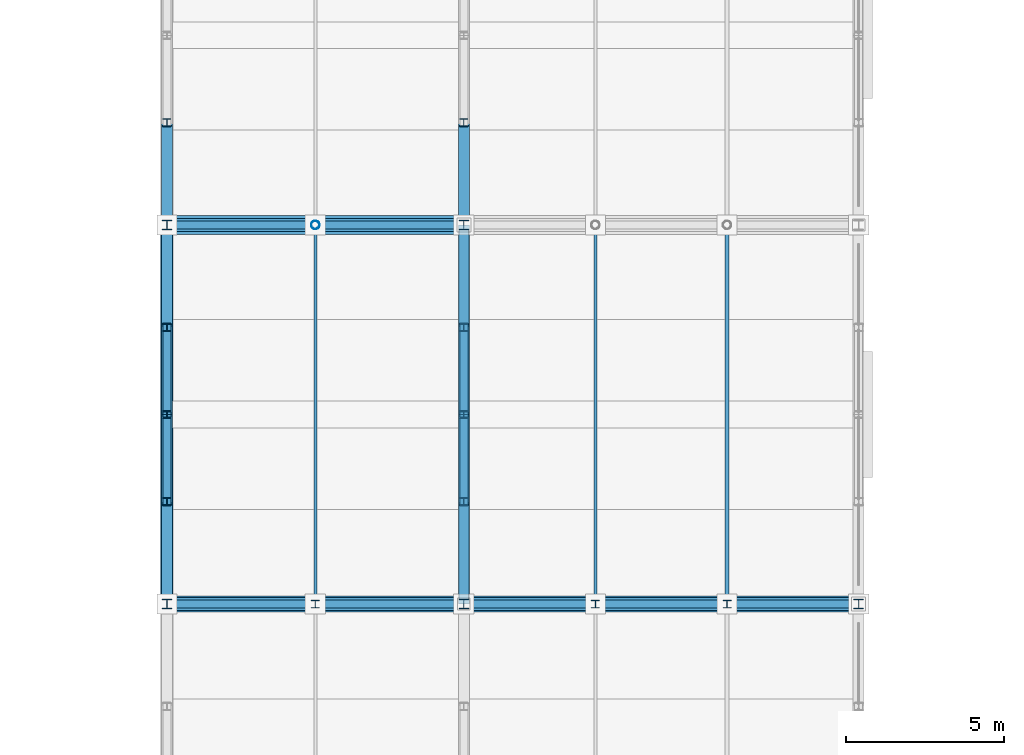
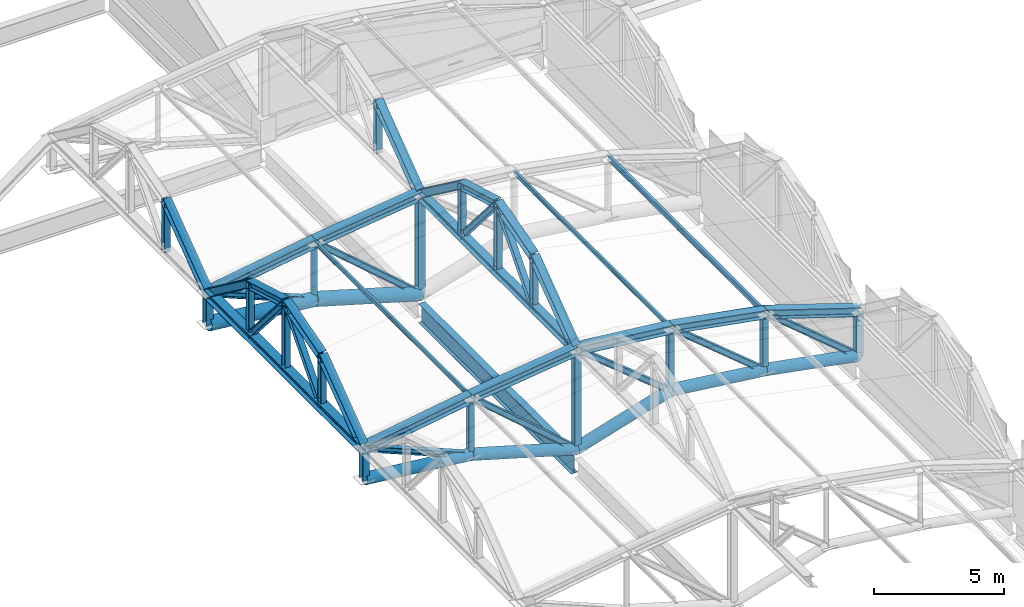
# One storey, part 72 of 117: 57 members, 1 beam.
"""IFC4 building model written with IfcOpenShell, lengths in metres."""

from ifc_helpers import new_model, si_unit, direction, frame, origin, origin_2d, place, context, subcontext, project, spatial, hollow_circle, i_section, extrude, material, material_profile, profile_set, type_object, element, save


model = new_model("IFC4")

# Units and contexts
model_context = context("Model", 3, precision=1e-05, world=origin(), true_north=direction((0.0, 1.0)))
body_context = subcontext(model_context, "Body", "Model", "MODEL_VIEW")
ifc_project = project(units=[si_unit("LENGTHUNIT", "METRE"), si_unit("AREAUNIT", "SQUARE_METRE"), si_unit("VOLUMEUNIT", "CUBIC_METRE"), si_unit("PLANEANGLEUNIT", "RADIAN"), si_unit("MASSUNIT", "GRAM", prefix="KILO")], contexts=[model_context])

# Site, building, storey
site_placement = place(None, origin())
site = spatial("IfcSite", under=ifc_project, at=site_placement, CompositionType="ELEMENT")
building_placement = place(site_placement, origin())
building = spatial("IfcBuilding", under=site, at=building_placement, Name="Kazenohara Klinker Stadium", CompositionType="ELEMENT")
storey_placement = place(building_placement, frame((0.0, 0.0, 31.199951171875)))
storey = spatial("IfcBuildingStorey", under=building, at=storey_placement, Name="RF", CompositionType="ELEMENT", Elevation=31.199951171875)

# Members
ifc_material = material(Name="Steel S355", Category="steel")
ifc_material_profile_1 = material_profile(ifc_material, i_section(OverallWidth=0.25, OverallDepth=0.25, WebThickness=0.009033203125, FlangeThickness=0.013916015625, FilletRadius=0.012939453125, at=origin_2d()), Name="H-250x250x9x14")
ifc_profile_set_1 = profile_set([ifc_material_profile_1], Name="Steel S355")
member_type_1 = type_object("IfcMemberType", Name="MEM-BRC02", PredefinedType="BRACE", material=ifc_profile_set_1)
member_1_placement = place(storey_placement, frame((187.5, 108.0, -0.02001953125), z_axis=(-0.76843159807, 0.0, 0.639931933168), x_axis=(0.0, -1.0, 0.0)))
element("IfcMember", 1, at=member_1_placement, inside=storey, type_object=member_type_1, Name="ROOF TRUSS RT-E06 web diagonal 1", PredefinedType="BRACE", context=body_context, shape_type="SweptSolid", body=[
    extrude(i_section(OverallWidth=0.25, OverallDepth=0.25, WebThickness=0.009033203125, FlangeThickness=0.013916015625, FilletRadius=0.012939453125, at=origin_2d()), origin(), (0.0, 0.0, 1.0), 5.42236328125),
])
member_2_placement = place(storey_placement, frame((183.333251953125, 108.0, 0.75), z_axis=(-0.770229945983, 0.0, 0.637766281887), x_axis=(0.0, -1.0, 0.0)))
element("IfcMember", 2, at=member_2_placement, inside=storey, type_object=member_type_1, Name="ROOF TRUSS RT-E06 web diagonal 2", PredefinedType="BRACE", context=body_context, shape_type="SweptSolid", body=[
    extrude(i_section(OverallWidth=0.25, OverallDepth=0.25, WebThickness=0.009033203125, FlangeThickness=0.013916015625, FilletRadius=0.012939453125, at=origin_2d()), origin(), (0.0, 0.0, 1.0), 5.409423828125),
])
member_3_placement = place(storey_placement, frame((179.166748046875, 108.0, 1.25), z_axis=(-0.774777826172, 0.0, 0.632233596127), x_axis=(0.0, -1.0, 0.0)))
element("IfcMember", 3, at=member_3_placement, inside=storey, type_object=member_type_1, Name="ROOF TRUSS RT-E06 web diagonal 3", PredefinedType="BRACE", context=body_context, shape_type="SweptSolid", body=[
    extrude(i_section(OverallWidth=0.25, OverallDepth=0.25, WebThickness=0.009033203125, FlangeThickness=0.013916015625, FilletRadius=0.012939453125, at=origin_2d()), origin(), (0.0, 0.0, 1.0), 5.3779296875),
])
member_4_placement = place(storey_placement, frame((175.0, 108.0, -0.02001953125), z_axis=(-0.755945561544, 0.0, 0.65463448426), x_axis=(0.0, -1.0, 0.0)))
element("IfcMember", 4, at=member_4_placement, inside=storey, type_object=member_type_1, Name="ROOF TRUSS RT-E06 web diagonal 4", PredefinedType="BRACE", context=body_context, shape_type="SweptSolid", body=[
    extrude(i_section(OverallWidth=0.25, OverallDepth=0.25, WebThickness=0.009033203125, FlangeThickness=0.013916015625, FilletRadius=0.012939453125, at=origin_2d()), origin(), (0.0, 0.0, 1.0), 6.21728515625),
])
member_5_placement = place(storey_placement, frame((170.300048828125, 108.0, 1.35009765625), z_axis=(-0.923659284192, 0.0, 0.383214726655), x_axis=(0.0, -1.0, 0.0)))
element("IfcMember", 5, at=member_5_placement, inside=storey, type_object=member_type_1, Name="ROOF TRUSS RT-E06 web diagonal 5", PredefinedType="BRACE", context=body_context, shape_type="SweptSolid", body=[
    extrude(i_section(OverallWidth=0.25, OverallDepth=0.25, WebThickness=0.009033203125, FlangeThickness=0.013916015625, FilletRadius=0.012939453125, at=origin_2d()), origin(), (0.0, 0.0, 1.0), 5.08837890625),
])
member_6_placement = place(storey_placement, frame((175.0, 120.0, -0.02001953125), z_axis=(-0.755945561544, 0.0, 0.65463448426), x_axis=(0.0, -1.0, 0.0)))
element("IfcMember", 6, at=member_6_placement, inside=storey, type_object=member_type_1, Name="ROOF TRUSS RT-E07 web diagonal 4", PredefinedType="BRACE", context=body_context, shape_type="SweptSolid", body=[
    extrude(i_section(OverallWidth=0.25, OverallDepth=0.25, WebThickness=0.009033203125, FlangeThickness=0.013916015625, FilletRadius=0.012939453125, at=origin_2d()), origin(), (0.0, 0.0, 1.0), 6.21728515625),
])
member_7_placement = place(storey_placement, frame((170.300048828125, 120.0, 1.35009765625), z_axis=(-0.923659284192, 0.0, 0.383214726655), x_axis=(0.0, -1.0, 0.0)))
element("IfcMember", 7, at=member_7_placement, inside=storey, type_object=member_type_1, Name="ROOF TRUSS RT-E07 web diagonal 5", PredefinedType="BRACE", context=body_context, shape_type="SweptSolid", body=[
    extrude(i_section(OverallWidth=0.25, OverallDepth=0.25, WebThickness=0.009033203125, FlangeThickness=0.013916015625, FilletRadius=0.012939453125, at=origin_2d()), origin(), (0.0, 0.0, 1.0), 5.08837890625),
])
ifc_material_profile_2 = material_profile(ifc_material, i_section(OverallWidth=0.39990234375, OverallDepth=0.39990234375, WebThickness=0.012939453125, FlangeThickness=0.02099609375, FilletRadius=0.02197265625, at=origin_2d()), Name="H-400x400x13x21")
ifc_profile_set_2 = profile_set([ifc_material_profile_2], Name="Steel S355")
member_type_2 = type_object("IfcMemberType", Name="MEM-CHD01", PredefinedType="CHORD", material=ifc_profile_set_2)
member_8_placement = place(storey_placement, frame((187.5, 108.0, 2.10009765625), z_axis=(-0.951324890397, 0.0, 0.308189800141), x_axis=(0.0, -1.0, 0.0)))
element("IfcMember", 8, at=member_8_placement, inside=storey, type_object=member_type_2, Name="ROOF TRUSS RT-E06 top arched chord 1", PredefinedType="CHORD", context=body_context, shape_type="SweptSolid", body=[
    extrude(i_section(OverallWidth=0.39990234375, OverallDepth=0.39990234375, WebThickness=0.012939453125, FlangeThickness=0.02099609375, FilletRadius=0.02197265625, at=origin_2d()), origin(), (0.0, 0.0, 1.0), 4.3798828125),
])
member_9_placement = place(storey_placement, frame((183.333251953125, 108.0, 3.449951171875), z_axis=(-0.984182117389, 0.0, 0.177159701431), x_axis=(0.0, -1.0, 0.0)))
element("IfcMember", 9, at=member_9_placement, inside=storey, type_object=member_type_2, Name="ROOF TRUSS RT-E06 top arched chord 2", PredefinedType="CHORD", context=body_context, shape_type="SweptSolid", body=[
    extrude(i_section(OverallWidth=0.39990234375, OverallDepth=0.39990234375, WebThickness=0.012939453125, FlangeThickness=0.02099609375, FilletRadius=0.02197265625, at=origin_2d()), origin(), (0.0, 0.0, 1.0), 4.2333984375),
])
member_10_placement = place(storey_placement, frame((179.166748046875, 108.0, 4.199951171875), z_axis=(-0.994213775272, 0.0, 0.107419593461), x_axis=(0.0, -1.0, 0.0)))
element("IfcMember", 10, at=member_10_placement, inside=storey, type_object=member_type_2, Name="ROOF TRUSS RT-E06 top arched chord 3", PredefinedType="CHORD", context=body_context, shape_type="SweptSolid", body=[
    extrude(i_section(OverallWidth=0.39990234375, OverallDepth=0.39990234375, WebThickness=0.012939453125, FlangeThickness=0.02099609375, FilletRadius=0.02197265625, at=origin_2d()), origin(), (0.0, 0.0, 1.0), 4.19091796875),
])
member_11_placement = place(storey_placement, frame((175.0, 108.0, 4.650146484375), z_axis=(-0.99194702514, 0.0, -0.126653461524), x_axis=(0.0, -1.0, 0.0)))
element("IfcMember", 11, at=member_11_placement, inside=storey, type_object=member_type_2, Name="ROOF TRUSS RT-E06 top arched chord 4", PredefinedType="CHORD", context=body_context, shape_type="SweptSolid", body=[
    extrude(i_section(OverallWidth=0.39990234375, OverallDepth=0.39990234375, WebThickness=0.012939453125, FlangeThickness=0.02099609375, FilletRadius=0.02197265625, at=origin_2d()), origin(), (0.0, 0.0, 1.0), 4.738037109375),
])
member_12_placement = place(storey_placement, frame((170.300048828125, 108.0, 4.050048828125), z_axis=(-0.987505848374, 0.0, -0.157582357602), x_axis=(0.0, -1.0, 0.0)))
element("IfcMember", 12, at=member_12_placement, inside=storey, type_object=member_type_2, Name="ROOF TRUSS RT-E06 top arched chord 5", PredefinedType="CHORD", context=body_context, shape_type="SweptSolid", body=[
    extrude(i_section(OverallWidth=0.39990234375, OverallDepth=0.39990234375, WebThickness=0.012939453125, FlangeThickness=0.02099609375, FilletRadius=0.02197265625, at=origin_2d()), origin(), (0.0, 0.0, 1.0), 4.759521484375),
])
member_13_placement = place(storey_placement, frame((175.0, 120.0, 4.650146484375), z_axis=(-0.99194702514, 0.0, -0.126653461524), x_axis=(0.0, -1.0, 0.0)))
element("IfcMember", 13, at=member_13_placement, inside=storey, type_object=member_type_2, Name="ROOF TRUSS RT-E07 top arched chord 4", PredefinedType="CHORD", context=body_context, shape_type="SweptSolid", body=[
    extrude(i_section(OverallWidth=0.39990234375, OverallDepth=0.39990234375, WebThickness=0.012939453125, FlangeThickness=0.02099609375, FilletRadius=0.02197265625, at=origin_2d()), origin(), (0.0, 0.0, 1.0), 4.738037109375),
])
member_14_placement = place(storey_placement, frame((170.300048828125, 120.0, 4.050048828125), z_axis=(-0.987505848374, 0.0, -0.157582357602), x_axis=(0.0, -1.0, 0.0)))
element("IfcMember", 14, at=member_14_placement, inside=storey, type_object=member_type_2, Name="ROOF TRUSS RT-E07 top arched chord 5", PredefinedType="CHORD", context=body_context, shape_type="SweptSolid", body=[
    extrude(i_section(OverallWidth=0.39990234375, OverallDepth=0.39990234375, WebThickness=0.012939453125, FlangeThickness=0.02099609375, FilletRadius=0.02197265625, at=origin_2d()), origin(), (0.0, 0.0, 1.0), 4.759521484375),
])
member_15_placement = place(storey_placement, frame((165.60009765625, 120.0, 3.300048828125), z_axis=(0.0, -1.0, 0.0), x_axis=(1.0, 0.0, 0.0)))
element("IfcMember", 15, at=member_15_placement, inside=storey, type_object=member_type_2, Name="Inner tension ring chord TC01 segment 18", PredefinedType="CHORD", context=body_context, shape_type="SweptSolid", body=[
    extrude(i_section(OverallWidth=0.39990234375, OverallDepth=0.39990234375, WebThickness=0.012939453125, FlangeThickness=0.02099609375, FilletRadius=0.02197265625, at=origin_2d()), origin(), (0.0, 0.0, 1.0), 12.0),
])
ifc_material_profile_3 = material_profile(ifc_material, i_section(OverallWidth=0.35009765625, OverallDepth=0.35009765625, WebThickness=0.011962890625, FlangeThickness=0.01904296875, FilletRadius=0.012939453125, at=origin_2d()), Name="H-350x350x12x19")
ifc_profile_set_3 = profile_set([ifc_material_profile_3], Name="Steel S355")
member_type_3 = type_object("IfcMemberType", Name="MEM-CHD02", PredefinedType="CHORD", material=ifc_profile_set_3)
member_16_placement = place(storey_placement, frame((175.0, 108.0, 4.650146484375), z_axis=(0.0, 1.0, 0.0), x_axis=(-1.0, 0.0, 0.0)))
element("IfcMember", 16, at=member_16_placement, inside=storey, type_object=member_type_3, Name="Barrel arch tie chord TC02 E-06-N3", PredefinedType="CHORD", context=body_context, shape_type="SweptSolid", body=[
    extrude(i_section(OverallWidth=0.35009765625, OverallDepth=0.35009765625, WebThickness=0.011962890625, FlangeThickness=0.01904296875, FilletRadius=0.012939453125, at=origin_2d()), origin(), (0.0, 0.0, 1.0), 12.0),
])
member_17_placement = place(storey_placement, frame((175.0, 108.0, 4.650146484375), z_axis=(0.0, 0.803567919639, 0.595213069856), x_axis=(-1.0, 0.0, 0.0)))
element("IfcMember", 17, at=member_17_placement, inside=storey, type_object=member_type_3, Name="Barrel arch top rib TC02 E-06-N3-S1", PredefinedType="CHORD", context=body_context, shape_type="SweptSolid", body=[
    extrude(i_section(OverallWidth=0.35009765625, OverallDepth=0.35009765625, WebThickness=0.011962890625, FlangeThickness=0.01904296875, FilletRadius=0.012939453125, at=origin_2d()), origin(), (0.0, 0.0, 1.0), 4.031982421875),
])
for number, where, z_axis, x_axis, name in (
    (18, (175.0, 111.239990234375, 7.050048828125), (0.0, 0.960462085918, 0.27841081429), (-1.0, 0.0, 0.0), "Barrel arch top rib TC02 E-06-N3-S2"),
    (19, (175.0, 114.0, 7.85009765625), (0.0, 0.960462085918, -0.27841081429), (-1.0, 0.0, 0.0), "Barrel arch top rib TC02 E-06-N3-S3"),
):
    element("IfcMember", number, at=place(storey_placement, frame(where, z_axis=z_axis, x_axis=x_axis)), inside=storey, type_object=member_type_3, Name=name, PredefinedType="CHORD", context=body_context, shape_type="SweptSolid", body=[
        extrude(i_section(OverallWidth=0.35009765625, OverallDepth=0.35009765625, WebThickness=0.011962890625, FlangeThickness=0.01904296875, FilletRadius=0.012939453125, at=origin_2d()), origin(), (0.0, 0.0, 1.0), 2.87353515625),
    ])
for number, where, z_axis, x_axis, name in (
    (20, (175.0, 116.760009765625, 7.050048828125), (0.0, 0.803567919639, -0.595213069856), (-1.0, 0.0, 0.0), "Barrel arch top rib TC02 E-06-N3-S4"),
    (21, (165.60009765625, 108.0, 3.300048828125), (0.0, 0.803567919639, 0.595213069856), (-1.0, 0.0, 0.0), "Barrel arch top rib TC02 E-06-N5-S1"),
):
    element("IfcMember", number, at=place(storey_placement, frame(where, z_axis=z_axis, x_axis=x_axis)), inside=storey, type_object=member_type_3, Name=name, PredefinedType="CHORD", context=body_context, shape_type="SweptSolid", body=[
        extrude(i_section(OverallWidth=0.35009765625, OverallDepth=0.35009765625, WebThickness=0.011962890625, FlangeThickness=0.01904296875, FilletRadius=0.012939453125, at=origin_2d()), origin(), (0.0, 0.0, 1.0), 4.031982421875),
    ])
for number, where, z_axis, x_axis, name in (
    (22, (165.60009765625, 111.239990234375, 5.699951171875), (0.0, 0.960462085918, 0.27841081429), (-1.0, 0.0, 0.0), "Barrel arch top rib TC02 E-06-N5-S2"),
    (23, (165.60009765625, 114.0, 6.5), (0.0, 0.960462085918, -0.27841081429), (-1.0, 0.0, 0.0), "Barrel arch top rib TC02 E-06-N5-S3"),
):
    element("IfcMember", number, at=place(storey_placement, frame(where, z_axis=z_axis, x_axis=x_axis)), inside=storey, type_object=member_type_3, Name=name, PredefinedType="CHORD", context=body_context, shape_type="SweptSolid", body=[
        extrude(i_section(OverallWidth=0.35009765625, OverallDepth=0.35009765625, WebThickness=0.011962890625, FlangeThickness=0.01904296875, FilletRadius=0.012939453125, at=origin_2d()), origin(), (0.0, 0.0, 1.0), 2.87353515625),
    ])
for number, where, z_axis, x_axis, name in (
    (24, (165.60009765625, 116.760009765625, 5.699951171875), (0.0, 0.803567919639, -0.595213069856), (-1.0, 0.0, 0.0), "Barrel arch top rib TC02 E-06-N5-S4"),
    (25, (175.0, 120.0, 4.650146484375), (0.0, 0.803567919639, 0.595213069856), (-1.0, 0.0, 0.0), "Barrel arch top rib TC02 E-07-N3-S1"),
    (26, (165.60009765625, 120.0, 3.300048828125), (0.0, 0.803567919639, 0.595213069856), (-1.0, 0.0, 0.0), "Barrel arch top rib TC02 E-07-N5-S1"),
):
    element("IfcMember", number, at=place(storey_placement, frame(where, z_axis=z_axis, x_axis=x_axis)), inside=storey, type_object=member_type_3, Name=name, PredefinedType="CHORD", context=body_context, shape_type="SweptSolid", body=[
        extrude(i_section(OverallWidth=0.35009765625, OverallDepth=0.35009765625, WebThickness=0.011962890625, FlangeThickness=0.01904296875, FilletRadius=0.012939453125, at=origin_2d()), origin(), (0.0, 0.0, 1.0), 4.031982421875),
    ])
ifc_material_profile_4 = material_profile(ifc_material, hollow_circle(Radius=0.25390625, WallThickness=0.01611328125, at=origin_2d()), Name="CHS-508.0x16")
ifc_profile_set_4 = profile_set([ifc_material_profile_4], Name="Steel S355")
member_type_4 = type_object("IfcMemberType", Name="MEM-CHD04", PredefinedType="CHORD", material=ifc_profile_set_4)
member_18_placement = place(storey_placement, frame((187.5, 108.0, -0.02001953125), z_axis=(-0.983349564566, 0.0, 0.181724059685), x_axis=(0.0, -1.0, 0.0)))
element("IfcMember", 27, at=member_18_placement, inside=storey, type_object=member_type_4, Name="ROOF TRUSS RT-E06 bottom arched chord 1", PredefinedType="CHORD", context=body_context, shape_type="SweptSolid", body=[
    extrude(hollow_circle(Radius=0.25390625, WallThickness=0.01611328125, at=origin_2d()), origin(), (0.0, 0.0, 1.0), 4.2373046875),
])
member_19_placement = place(storey_placement, frame((183.333251953125, 108.0, 0.75), z_axis=(-0.99287628789, 0.0, 0.119149808836), x_axis=(0.0, -1.0, 0.0)))
element("IfcMember", 28, at=member_19_placement, inside=storey, type_object=member_type_4, Name="ROOF TRUSS RT-E06 bottom arched chord 2", PredefinedType="CHORD", context=body_context, shape_type="SweptSolid", body=[
    extrude(hollow_circle(Radius=0.25390625, WallThickness=0.01611328125, at=origin_2d()), origin(), (0.0, 0.0, 1.0), 4.1962890625),
])
member_20_placement = place(storey_placement, frame((179.166748046875, 108.0, 1.25), z_axis=(-0.956553656775, 0.0, -0.291556343971), x_axis=(0.0, -1.0, 0.0)))
element("IfcMember", 29, at=member_20_placement, inside=storey, type_object=member_type_4, Name="ROOF TRUSS RT-E06 bottom arched chord 3", PredefinedType="CHORD", context=body_context, shape_type="SweptSolid", body=[
    extrude(hollow_circle(Radius=0.25390625, WallThickness=0.01611328125, at=origin_2d()), origin(), (0.0, 0.0, 1.0), 4.35595703125),
])
member_21_placement = place(storey_placement, frame((175.0, 108.0, -0.02001953125), z_axis=(-0.960038530088, 0.0, 0.279867863012), x_axis=(0.0, -1.0, 0.0)))
element("IfcMember", 30, at=member_21_placement, inside=storey, type_object=member_type_4, Name="ROOF TRUSS RT-E06 bottom arched chord 4", PredefinedType="CHORD", context=body_context, shape_type="SweptSolid", body=[
    extrude(hollow_circle(Radius=0.25390625, WallThickness=0.01611328125, at=origin_2d()), origin(), (0.0, 0.0, 1.0), 4.8955078125),
])
member_22_placement = place(storey_placement, frame((170.300048828125, 108.0, 1.35009765625), z_axis=(-0.99438879757, 0.0, 0.105787141313), x_axis=(0.0, -1.0, 0.0)))
element("IfcMember", 31, at=member_22_placement, inside=storey, type_object=member_type_4, Name="ROOF TRUSS RT-E06 bottom arched chord 5", PredefinedType="CHORD", context=body_context, shape_type="SweptSolid", body=[
    extrude(hollow_circle(Radius=0.25390625, WallThickness=0.01611328125, at=origin_2d()), origin(), (0.0, 0.0, 1.0), 4.7265625),
])
ifc_material_profile_5 = material_profile(ifc_material, hollow_circle(Radius=0.3046875, WallThickness=0.01611328125, at=origin_2d()), Name="CHS-609.6x16")
ifc_profile_set_5 = profile_set([ifc_material_profile_5], Name="Steel S355")
member_type_5 = type_object("IfcMemberType", Name="MEM-CHD05", PredefinedType="CHORD", material=ifc_profile_set_5)
member_23_placement = place(storey_placement, frame((175.0, 120.0, -0.02001953125), z_axis=(-0.960038530088, 0.0, 0.279867863012), x_axis=(0.0, -1.0, 0.0)))
element("IfcMember", 32, at=member_23_placement, inside=storey, type_object=member_type_5, Name="ROOF TRUSS RT-E07 bottom arched chord 4", PredefinedType="CHORD", context=body_context, shape_type="SweptSolid", body=[
    extrude(hollow_circle(Radius=0.3046875, WallThickness=0.01611328125, at=origin_2d()), origin(), (0.0, 0.0, 1.0), 4.8955078125),
])
member_24_placement = place(storey_placement, frame((170.300048828125, 120.0, 1.35009765625), z_axis=(-0.99438879757, 0.0, 0.105787141313), x_axis=(0.0, -1.0, 0.0)))
element("IfcMember", 33, at=member_24_placement, inside=storey, type_object=member_type_5, Name="ROOF TRUSS RT-E07 bottom arched chord 5", PredefinedType="CHORD", context=body_context, shape_type="SweptSolid", body=[
    extrude(hollow_circle(Radius=0.3046875, WallThickness=0.01611328125, at=origin_2d()), origin(), (0.0, 0.0, 1.0), 4.7265625),
])
ifc_material_profile_6 = material_profile(ifc_material, i_section(OverallWidth=0.125, OverallDepth=0.25, WebThickness=0.006103515625, FlangeThickness=0.009033203125, FilletRadius=0.008056640625, at=origin_2d()), Name="H-250x125x6x9")
ifc_profile_set_6 = profile_set([ifc_material_profile_6], Name="Steel S355")
member_type_6 = type_object("IfcMemberType", Name="MEM-PUR01", PredefinedType="PURLIN", material=ifc_profile_set_6)
member_25_placement = place(storey_placement, frame((183.333251953125, 108.0, 3.469970703125), z_axis=(0.0, 1.0, 0.0), x_axis=(-1.0, 0.0, 0.0)))
element("IfcMember", 34, at=member_25_placement, inside=storey, type_object=member_type_6, Name="Canopy valley tie purlin PR01 E-06-N1", PredefinedType="PURLIN", context=body_context, shape_type="SweptSolid", body=[
    extrude(i_section(OverallWidth=0.125, OverallDepth=0.25, WebThickness=0.006103515625, FlangeThickness=0.009033203125, FilletRadius=0.008056640625, at=origin_2d()), origin(), (0.0, 0.0, 1.0), 12.0),
])
ifc_material_profile_7 = material_profile(ifc_material, i_section(OverallWidth=0.10009765625, OverallDepth=0.199951171875, WebThickness=0.005615234375, FlangeThickness=0.008056640625, FilletRadius=0.008056640625, at=origin_2d()), Name="H-200x100x5.5x8")
ifc_profile_set_7 = profile_set([ifc_material_profile_7], Name="Steel S355")
member_type_7 = type_object("IfcMemberType", Name="MEM-PUR02", PredefinedType="PURLIN", material=ifc_profile_set_7)
for number, where, z_axis, x_axis, name in (
    (35, (179.166748046875, 108.0, 4.219970703125), (0.0, 1.0, 0.0), (-1.0, 0.0, 0.0), "Canopy valley tie purlin PR02 E-06-N2"),
    (36, (170.300048828125, 108.0, 4.070068359375), (0.0, 1.0, 0.0), (-1.0, 0.0, 0.0), "Canopy valley tie purlin PR02 E-06-N4"),
):
    element("IfcMember", number, at=place(storey_placement, frame(where, z_axis=z_axis, x_axis=x_axis)), inside=storey, type_object=member_type_7, Name=name, PredefinedType="PURLIN", context=body_context, shape_type="SweptSolid", body=[
        extrude(i_section(OverallWidth=0.10009765625, OverallDepth=0.199951171875, WebThickness=0.005615234375, FlangeThickness=0.008056640625, FilletRadius=0.008056640625, at=origin_2d()), origin(), (0.0, 0.0, 1.0), 12.0),
    ])
ifc_material_profile_8 = material_profile(ifc_material, i_section(OverallWidth=0.300048828125, OverallDepth=0.300048828125, WebThickness=0.010009765625, FlangeThickness=0.014892578125, FilletRadius=0.012939453125, at=origin_2d()), Name="H-300x300x10x15")
ifc_profile_set_8 = profile_set([ifc_material_profile_8], Name="Steel S355")
member_type_8 = type_object("IfcMemberType", Name="MEM-STR01", PredefinedType="STRUT", material=ifc_profile_set_8)
member_26_placement = place(storey_placement, frame((187.5, 108.0, -0.02001953125), z_axis=(0.0, 0.0, 1.0), x_axis=(1.0, 0.0, 0.0)))
element("IfcMember", 37, at=member_26_placement, inside=storey, type_object=member_type_8, Name="ROOF TRUSS RT-E06 web post 1", PredefinedType="STRUT", context=body_context, shape_type="SweptSolid", body=[
    extrude(i_section(OverallWidth=0.300048828125, OverallDepth=0.300048828125, WebThickness=0.010009765625, FlangeThickness=0.014892578125, FilletRadius=0.012939453125, at=origin_2d()), origin(), (0.0, 0.0, 1.0), 2.1201171875),
])
member_27_placement = place(storey_placement, frame((175.0, 108.0, -0.02001953125), z_axis=(0.0, 0.0, 1.0), x_axis=(1.0, 0.0, 0.0)))
element("IfcMember", 38, at=member_27_placement, inside=storey, type_object=member_type_8, Name="ROOF TRUSS RT-E06 web post 4", PredefinedType="STRUT", context=body_context, shape_type="SweptSolid", body=[
    extrude(i_section(OverallWidth=0.300048828125, OverallDepth=0.300048828125, WebThickness=0.010009765625, FlangeThickness=0.014892578125, FilletRadius=0.012939453125, at=origin_2d()), origin(), (0.0, 0.0, 1.0), 4.670166015625),
])
member_28_placement = place(storey_placement, frame((165.60009765625, 108.0, 1.85009765625), z_axis=(0.0, 0.0, 1.0), x_axis=(1.0, 0.0, 0.0)))
element("IfcMember", 39, at=member_28_placement, inside=storey, type_object=member_type_8, Name="ROOF TRUSS RT-E06 web post 6", PredefinedType="STRUT", context=body_context, shape_type="SweptSolid", body=[
    extrude(i_section(OverallWidth=0.300048828125, OverallDepth=0.300048828125, WebThickness=0.010009765625, FlangeThickness=0.014892578125, FilletRadius=0.012939453125, at=origin_2d()), origin(), (0.0, 0.0, 1.0), 1.449951171875),
])
member_29_placement = place(storey_placement, frame((175.0, 120.0, -0.02001953125), z_axis=(0.0, 0.0, 1.0), x_axis=(1.0, 0.0, 0.0)))
element("IfcMember", 40, at=member_29_placement, inside=storey, type_object=member_type_8, Name="ROOF TRUSS RT-E07 web post 4", PredefinedType="STRUT", context=body_context, shape_type="SweptSolid", body=[
    extrude(i_section(OverallWidth=0.300048828125, OverallDepth=0.300048828125, WebThickness=0.010009765625, FlangeThickness=0.014892578125, FilletRadius=0.012939453125, at=origin_2d()), origin(), (0.0, 0.0, 1.0), 4.670166015625),
])
member_30_placement = place(storey_placement, frame((165.60009765625, 120.0, 1.85009765625), z_axis=(0.0, 0.0, 1.0), x_axis=(1.0, 0.0, 0.0)))
element("IfcMember", 41, at=member_30_placement, inside=storey, type_object=member_type_8, Name="ROOF TRUSS RT-E07 web post 6", PredefinedType="STRUT", context=body_context, shape_type="SweptSolid", body=[
    extrude(i_section(OverallWidth=0.300048828125, OverallDepth=0.300048828125, WebThickness=0.010009765625, FlangeThickness=0.014892578125, FilletRadius=0.012939453125, at=origin_2d()), origin(), (0.0, 0.0, 1.0), 1.449951171875),
])
ifc_material_profile_9 = material_profile(ifc_material, i_section(OverallWidth=0.25, OverallDepth=0.25, WebThickness=0.009033203125, FlangeThickness=0.013916015625, FilletRadius=0.012939453125, at=origin_2d()), Name="H-250x250x9x14")
ifc_profile_set_9 = profile_set([ifc_material_profile_9], Name="Steel S355")
member_type_9 = type_object("IfcMemberType", Name="MEM-STR02", PredefinedType="STRUT", material=ifc_profile_set_9)
member_31_placement = place(storey_placement, frame((183.333251953125, 108.0, 0.75), z_axis=(0.0, 0.0, 1.0), x_axis=(1.0, 0.0, 0.0)))
element("IfcMember", 42, at=member_31_placement, inside=storey, type_object=member_type_9, Name="ROOF TRUSS RT-E06 web post 2", PredefinedType="STRUT", context=body_context, shape_type="SweptSolid", body=[
    extrude(i_section(OverallWidth=0.25, OverallDepth=0.25, WebThickness=0.009033203125, FlangeThickness=0.013916015625, FilletRadius=0.012939453125, at=origin_2d()), origin(), (0.0, 0.0, 1.0), 2.699951171875),
])
member_32_placement = place(storey_placement, frame((179.166748046875, 108.0, 1.25), z_axis=(0.0, 0.0, 1.0), x_axis=(1.0, 0.0, 0.0)))
element("IfcMember", 43, at=member_32_placement, inside=storey, type_object=member_type_9, Name="ROOF TRUSS RT-E06 web post 3", PredefinedType="STRUT", context=body_context, shape_type="SweptSolid", body=[
    extrude(i_section(OverallWidth=0.25, OverallDepth=0.25, WebThickness=0.009033203125, FlangeThickness=0.013916015625, FilletRadius=0.012939453125, at=origin_2d()), origin(), (0.0, 0.0, 1.0), 2.949951171875),
])
member_33_placement = place(storey_placement, frame((170.300048828125, 108.0, 1.35009765625), z_axis=(0.0, 0.0, 1.0), x_axis=(1.0, 0.0, 0.0)))
element("IfcMember", 44, at=member_33_placement, inside=storey, type_object=member_type_9, Name="ROOF TRUSS RT-E06 web post 5", PredefinedType="STRUT", context=body_context, shape_type="SweptSolid", body=[
    extrude(i_section(OverallWidth=0.25, OverallDepth=0.25, WebThickness=0.009033203125, FlangeThickness=0.013916015625, FilletRadius=0.012939453125, at=origin_2d()), origin(), (0.0, 0.0, 1.0), 2.699951171875),
])
member_34_placement = place(storey_placement, frame((175.0, 111.239990234375, 4.650146484375), z_axis=(0.0, 0.0, 1.0), x_axis=(1.0, 0.0, 0.0)))
element("IfcMember", 45, at=member_34_placement, inside=storey, type_object=member_type_9, Name="Barrel arch web post TS02 E-06-N3-P1", PredefinedType="STRUT", context=body_context, shape_type="SweptSolid", body=[
    extrude(i_section(OverallWidth=0.25, OverallDepth=0.25, WebThickness=0.009033203125, FlangeThickness=0.013916015625, FilletRadius=0.012939453125, at=origin_2d()), origin(), (0.0, 0.0, 1.0), 2.39990234375),
])
member_35_placement = place(storey_placement, frame((175.0, 114.0, 4.650146484375), z_axis=(0.0, 0.0, 1.0), x_axis=(1.0, 0.0, 0.0)))
element("IfcMember", 46, at=member_35_placement, inside=storey, type_object=member_type_9, Name="Barrel arch web post TS02 E-06-N3-P2", PredefinedType="STRUT", context=body_context, shape_type="SweptSolid", body=[
    extrude(i_section(OverallWidth=0.25, OverallDepth=0.25, WebThickness=0.009033203125, FlangeThickness=0.013916015625, FilletRadius=0.012939453125, at=origin_2d()), origin(), (0.0, 0.0, 1.0), 3.199951171875),
])
member_36_placement = place(storey_placement, frame((175.0, 116.760009765625, 4.650146484375), z_axis=(0.0, 0.0, 1.0), x_axis=(1.0, 0.0, 0.0)))
element("IfcMember", 47, at=member_36_placement, inside=storey, type_object=member_type_9, Name="Barrel arch web post TS02 E-06-N3-P3", PredefinedType="STRUT", context=body_context, shape_type="SweptSolid", body=[
    extrude(i_section(OverallWidth=0.25, OverallDepth=0.25, WebThickness=0.009033203125, FlangeThickness=0.013916015625, FilletRadius=0.012939453125, at=origin_2d()), origin(), (0.0, 0.0, 1.0), 2.39990234375),
])
for number, where, z_axis, x_axis, name in (
    (48, (175.0, 111.239990234375, 4.650146484375), (0.0, 0.653133887971, 0.757242447558), (-1.0, 0.0, 0.0), "Barrel arch web diagonal TS02 E-06-N3-D1"),
    (49, (175.0, 116.760009765625, 4.650146484375), (0.0, -0.653133887971, 0.757242447558), (1.0, 0.0, 0.0), "Barrel arch web diagonal TS02 E-06-N3-D2"),
):
    element("IfcMember", number, at=place(storey_placement, frame(where, z_axis=z_axis, x_axis=x_axis)), inside=storey, type_object=member_type_9, Name=name, PredefinedType="STRUT", context=body_context, shape_type="SweptSolid", body=[
        extrude(i_section(OverallWidth=0.25, OverallDepth=0.25, WebThickness=0.009033203125, FlangeThickness=0.013916015625, FilletRadius=0.012939453125, at=origin_2d()), origin(), (0.0, 0.0, 1.0), 4.225830078125),
    ])
member_37_placement = place(storey_placement, frame((165.60009765625, 111.239990234375, 3.300048828125), z_axis=(0.0, 0.0, 1.0), x_axis=(1.0, 0.0, 0.0)))
element("IfcMember", 50, at=member_37_placement, inside=storey, type_object=member_type_9, Name="Barrel arch web post TS02 E-06-N5-P1", PredefinedType="STRUT", context=body_context, shape_type="SweptSolid", body=[
    extrude(i_section(OverallWidth=0.25, OverallDepth=0.25, WebThickness=0.009033203125, FlangeThickness=0.013916015625, FilletRadius=0.012939453125, at=origin_2d()), origin(), (0.0, 0.0, 1.0), 2.39990234375),
])
member_38_placement = place(storey_placement, frame((165.60009765625, 114.0, 3.300048828125), z_axis=(0.0, 0.0, 1.0), x_axis=(1.0, 0.0, 0.0)))
element("IfcMember", 51, at=member_38_placement, inside=storey, type_object=member_type_9, Name="Barrel arch web post TS02 E-06-N5-P2", PredefinedType="STRUT", context=body_context, shape_type="SweptSolid", body=[
    extrude(i_section(OverallWidth=0.25, OverallDepth=0.25, WebThickness=0.009033203125, FlangeThickness=0.013916015625, FilletRadius=0.012939453125, at=origin_2d()), origin(), (0.0, 0.0, 1.0), 3.199951171875),
])
member_39_placement = place(storey_placement, frame((165.60009765625, 116.760009765625, 3.300048828125), z_axis=(0.0, 0.0, 1.0), x_axis=(1.0, 0.0, 0.0)))
element("IfcMember", 52, at=member_39_placement, inside=storey, type_object=member_type_9, Name="Barrel arch web post TS02 E-06-N5-P3", PredefinedType="STRUT", context=body_context, shape_type="SweptSolid", body=[
    extrude(i_section(OverallWidth=0.25, OverallDepth=0.25, WebThickness=0.009033203125, FlangeThickness=0.013916015625, FilletRadius=0.012939453125, at=origin_2d()), origin(), (0.0, 0.0, 1.0), 2.39990234375),
])
for number, where, z_axis, x_axis, name in (
    (53, (165.60009765625, 111.239990234375, 3.300048828125), (0.0, 0.653133887971, 0.757242447558), (-1.0, 0.0, 0.0), "Barrel arch web diagonal TS02 E-06-N5-D1"),
    (54, (165.60009765625, 116.760009765625, 3.300048828125), (0.0, -0.653133887971, 0.757242447558), (1.0, 0.0, 0.0), "Barrel arch web diagonal TS02 E-06-N5-D2"),
):
    element("IfcMember", number, at=place(storey_placement, frame(where, z_axis=z_axis, x_axis=x_axis)), inside=storey, type_object=member_type_9, Name=name, PredefinedType="STRUT", context=body_context, shape_type="SweptSolid", body=[
        extrude(i_section(OverallWidth=0.25, OverallDepth=0.25, WebThickness=0.009033203125, FlangeThickness=0.013916015625, FilletRadius=0.012939453125, at=origin_2d()), origin(), (0.0, 0.0, 1.0), 4.225830078125),
    ])
for number, where, z_axis, x_axis, name in (
    (55, (175.0, 123.239990234375, 4.650146484375), (0.0, 0.0, 1.0), (1.0, 0.0, 0.0), "Barrel arch web post TS02 E-07-N3-P1"),
    (56, (165.60009765625, 123.239990234375, 3.300048828125), (0.0, 0.0, 1.0), (1.0, 0.0, 0.0), "Barrel arch web post TS02 E-07-N5-P1"),
):
    element("IfcMember", number, at=place(storey_placement, frame(where, z_axis=z_axis, x_axis=x_axis)), inside=storey, type_object=member_type_9, Name=name, PredefinedType="STRUT", context=body_context, shape_type="SweptSolid", body=[
        extrude(i_section(OverallWidth=0.25, OverallDepth=0.25, WebThickness=0.009033203125, FlangeThickness=0.013916015625, FilletRadius=0.012939453125, at=origin_2d()), origin(), (0.0, 0.0, 1.0), 2.39990234375),
    ])
ifc_material_profile_10 = material_profile(ifc_material, hollow_circle(Radius=0.1337890625, WallThickness=0.009033203125, at=origin_2d()), Name="CHS-267.4x9")
ifc_profile_set_10 = profile_set([ifc_material_profile_10], Name="Steel S355")
member_type_10 = type_object("IfcMemberType", Name="MEM-STR03", PredefinedType="STRUT", material=ifc_profile_set_10)
member_40_placement = place(storey_placement, frame((170.300048828125, 120.0, 1.35009765625), z_axis=(0.0, 0.0, 1.0), x_axis=(1.0, 0.0, 0.0)))
element("IfcMember", 57, at=member_40_placement, inside=storey, type_object=member_type_10, Name="ROOF TRUSS RT-E07 web post 5", PredefinedType="STRUT", context=body_context, shape_type="SweptSolid", body=[
    extrude(hollow_circle(Radius=0.1337890625, WallThickness=0.009033203125, at=origin_2d()), origin(), (0.0, 0.0, 1.0), 2.699951171875),
])

# Beam
ifc_material_profile_11 = material_profile(ifc_material, i_section(OverallWidth=0.300048828125, OverallDepth=0.89990234375, WebThickness=0.01611328125, FlangeThickness=0.028076171875, FilletRadius=0.02197265625, at=origin_2d()), Name="H-900x300x16x28")
ifc_profile_set_11 = profile_set([ifc_material_profile_11], Name="Steel S355")
beam_type = type_object("IfcBeamType", Name="RING-RB01", PredefinedType="USERDEFINED", material=ifc_profile_set_11)
beam_placement = place(storey_placement, frame((175.0, 108.139892578125, -0.820068359375), z_axis=(0.0, 1.0, 0.0), x_axis=(-1.0, 0.0, 0.0)))
element("IfcBeam", 58, at=beam_placement, inside=storey, type_object=beam_type, Name="Roof ring beam RB01 E-IN K-L", ObjectType="RING BEAM", PredefinedType="USERDEFINED", context=body_context, shape_type="SweptSolid", body=[
    extrude(i_section(OverallWidth=0.300048828125, OverallDepth=0.89990234375, WebThickness=0.01611328125, FlangeThickness=0.028076171875, FilletRadius=0.02197265625, at=origin_2d()), origin(), (0.0, 0.0, 1.0), 11.72021484375),
])

save(model, "model.ifc")
